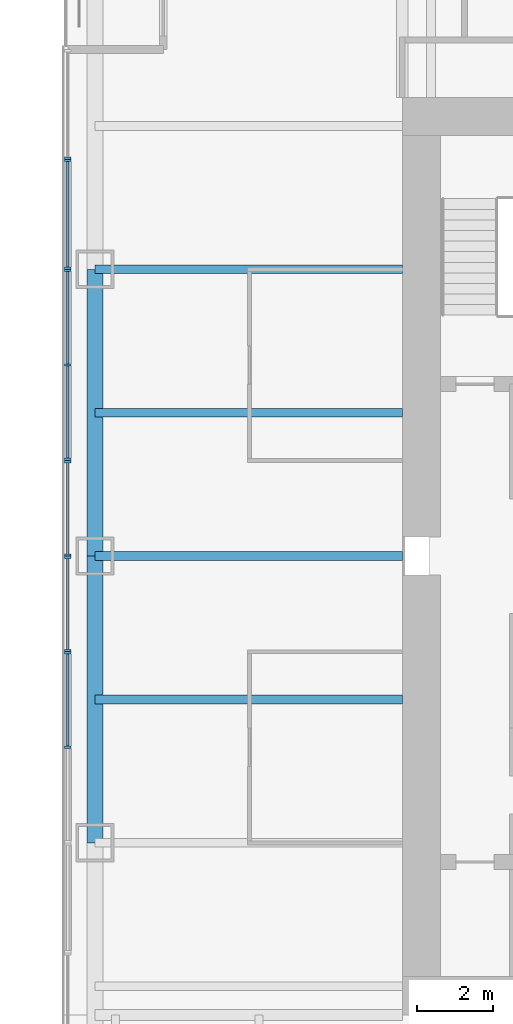
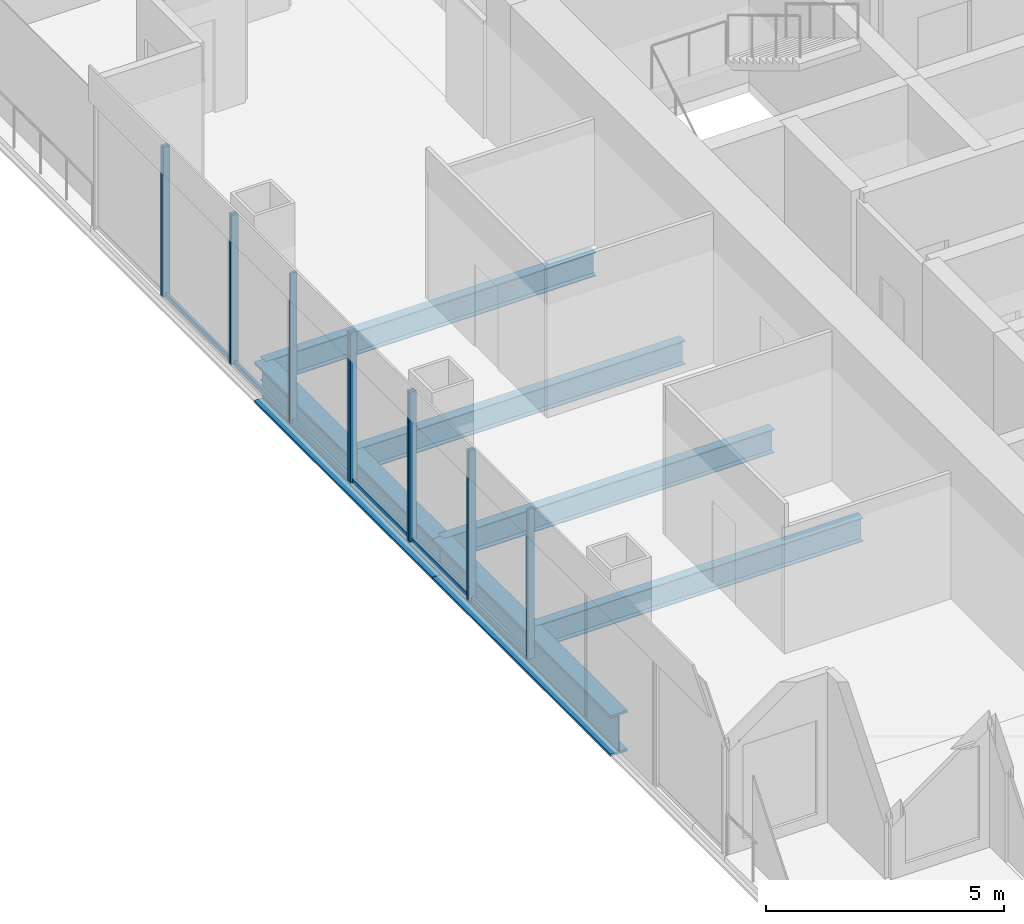
# One storey, part 4 of 14: 18 members, 6 beams, 6 elements without a shape of their own.
"""IFC4 building model written with IfcOpenShell, lengths in metres."""

import ifcopenshell
import ifcopenshell.guid

model = None  # the IFC model being written
_history = None  # IfcOwnerHistory: only IFC2X3 demands one
_inside = {}  # id of a spatial element -> (the spatial element, [elements in it])
_under = {}  # id of a project, library or spatial element -> (it, [spatial elements below it])
_declared = {}  # id of a project -> (the project, [libraries it declares])
_typed = {}  # id of a type object -> (the type object, [elements of that type])
_made_of = {}  # id of a material, layer set ... -> (it, [elements and type objects made of it])


def new_model(schema):
    """Start an empty IFC model of exactly this schema.

    Asked for "IFC4X3", IfcOpenShell would pick the latest addendum, in which some entities
    have other attributes; the version numbers below select the first issue.
    IFC2X3 requires an IfcOwnerHistory on every rooted entity: one is made here for all.
    """
    global model, _history
    if schema == "IFC4X3":
        model = ifcopenshell.file(schema_version=(4, 3, 0, 0))
    else:
        model = ifcopenshell.file(schema=schema)
    _inside.clear()
    _under.clear()
    _declared.clear()
    _typed.clear()
    _made_of.clear()
    _history = None
    if model.schema == "IFC2X3":
        org = make("IfcOrganization", Name="unknown")
        user = make(
            "IfcPersonAndOrganization",
            ThePerson=make("IfcPerson", FamilyName="unknown"),
            TheOrganization=org,
        )
        app = make(
            "IfcApplication",
            ApplicationDeveloper=org,
            Version="unknown",
            ApplicationFullName="unknown",
            ApplicationIdentifier="unknown",
        )
        _history = make(
            "IfcOwnerHistory",
            OwningUser=user,
            OwningApplication=app,
            ChangeAction="ADDED",
            CreationDate=0,
        )
    return model


def make(cls, **values):
    """One entity of the class cls with the attributes given. An attribute that is None is left unset."""
    return model.create_entity(
        cls, **{name: value for name, value in values.items() if value is not None}
    )


def rooted(cls, **values):
    """An entity with a GlobalId (a new one), such as an element, a storey or a relation."""
    return make(cls, GlobalId=ifcopenshell.guid.new(), OwnerHistory=_history, **values)


def si_unit(unit_type, name, prefix=None):
    """IfcSIUnit, for example si_unit("LENGTHUNIT", "METRE", prefix="MILLI")."""
    return make("IfcSIUnit", UnitType=unit_type, Prefix=prefix, Name=name)


def assignment(units):
    """IfcUnitAssignment: the units of a project."""
    return None if units is None else make("IfcUnitAssignment", Units=units)


def point(xyz):
    """IfcCartesianPoint."""
    return None if xyz is None else make("IfcCartesianPoint", Coordinates=xyz)


def direction(xyz):
    """IfcDirection."""
    return None if xyz is None else make("IfcDirection", DirectionRatios=xyz)


def frame(location, z_axis=None, x_axis=None):
    """IfcAxis2Placement3D, a coordinate frame: its origin and axes. An axis left out is left unset."""
    return make(
        "IfcAxis2Placement3D",
        Location=point(location),
        Axis=direction(z_axis),
        RefDirection=direction(x_axis),
    )


def frame_2d(location, x_axis=None):
    """IfcAxis2Placement2D, a coordinate frame in the plane: its origin and x axis."""
    return make(
        "IfcAxis2Placement2D", Location=point(location), RefDirection=direction(x_axis)
    )


def origin():
    """The frame at (0, 0, 0) with its axes left unset."""
    return frame((0.0, 0.0, 0.0))


def origin_2d():
    """The frame at (0, 0) in the plane with its x axis left unset."""
    return frame_2d((0.0, 0.0))


def place(relative_to, where):
    """IfcLocalPlacement: puts the frame where relative to a parent placement (None: the world)."""
    return make(
        "IfcLocalPlacement", PlacementRelTo=relative_to, RelativePlacement=where
    )


def context(
    kind, dimensions, precision=None, world=None, true_north=None, identifier=None
):
    """IfcGeometricRepresentationContext, for example the 3D "Model" context."""
    return make(
        "IfcGeometricRepresentationContext",
        ContextIdentifier=identifier,
        ContextType=kind,
        CoordinateSpaceDimension=dimensions,
        Precision=precision,
        WorldCoordinateSystem=world,
        TrueNorth=true_north,
    )


def subcontext(parent, identifier, kind, view, scale=None):
    """IfcGeometricRepresentationSubContext, for example "Body" below "Model"."""
    return make(
        "IfcGeometricRepresentationSubContext",
        ContextIdentifier=identifier,
        ContextType=kind,
        ParentContext=parent,
        TargetScale=scale,
        TargetView=view,
    )


def project(units=None, contexts=None):
    """IfcProject with its units and contexts."""
    return rooted(
        "IfcProject",
        Name="project",
        RepresentationContexts=contexts,
        UnitsInContext=assignment(units),
    )


def spatial(cls, under=None, at=None, **own):
    """A site, building, storey or space (cls), placed at a placement, below another one or the project."""
    s = rooted(cls, ObjectPlacement=at, **own)
    if under is not None:
        _under.setdefault(under.id(), (under, []))[1].append(s)
    return s


def profile(cls, at=None, kind="AREA", **sizes):
    """A parametric profile (cls). Its sizes go by their IFC names, for example OverallWidth=200.0."""
    return make(cls, ProfileType=kind, Position=at, **sizes)


def rectangle(**sizes):
    """IfcRectangleProfileDef."""
    return profile("IfcRectangleProfileDef", **sizes)


def i_section(**sizes):
    """IfcIShapeProfileDef."""
    return profile("IfcIShapeProfileDef", **sizes)


def extrude(swept, where, along, depth):
    """IfcExtrudedAreaSolid: the profile swept, set in the frame where, extruded along a direction by depth."""
    return make(
        "IfcExtrudedAreaSolid",
        SweptArea=swept,
        Position=where,
        ExtrudedDirection=direction(along),
        Depth=depth,
    )


def shape(context_of_items, identifier, shape_type, items):
    """IfcShapeRepresentation: the items that make up one representation, for example the "Body"."""
    return make(
        "IfcShapeRepresentation",
        ContextOfItems=context_of_items,
        RepresentationIdentifier=identifier,
        RepresentationType=shape_type,
        Items=items,
    )


def material(Name=None, Category=None):
    """IfcMaterial."""
    return make("IfcMaterial", Name=Name, Category=Category)


def material_profile(
    of_material, cross_section, Name=None, Category=None, Priority=None
):
    """IfcMaterialProfile: a cross section and its material."""
    return make(
        "IfcMaterialProfile",
        Name=Name,
        Material=of_material,
        Profile=cross_section,
        Priority=Priority,
        Category=Category,
    )


def profile_set(profiles, Name=None, composite=None):
    """IfcMaterialProfileSet."""
    return make(
        "IfcMaterialProfileSet",
        Name=Name,
        MaterialProfiles=profiles,
        CompositeProfile=composite,
    )


def made_of(thing, what):
    """Note that an element or type object is made of a material, layer set ...; save() writes the relation."""
    if what is not None:
        _made_of.setdefault(what.id(), (what, []))[1].append(thing)
    return thing


def type_object(cls, material=None, **own):
    """A type object (cls), such as IfcWallType, which elements share."""
    return made_of(rooted(cls, **own), material)


def element(
    cls,
    number,
    at=None,
    inside=None,
    cuts=None,
    type_object=None,
    material=None,
    context=None,
    identifier="Body",
    shape_type=None,
    held_by="IfcProductDefinitionShape",
    body=None,
    shapes=None,
    **own,
):
    """One element of the class cls, such as IfcWall. Its Tag is "e" and its number.

    at: its placement. inside: the storey or other place that contains it. cuts: it is an
    opening in that element (IfcRelVoidsElement). A single representation is given by context,
    identifier, shape_type and body (its items); several are given by shapes. held_by: the class
    of the entity that holds the representations. save() writes the other relations.
    """
    e = rooted(cls, Tag="e%d" % number, ObjectPlacement=at, **own)
    if body is not None:
        shapes = [shape(context, identifier, shape_type, body)]
    if shapes is not None:
        e.Representation = make(held_by, Representations=shapes)
    if inside is not None:
        _inside.setdefault(inside.id(), (inside, []))[1].append(e)
    if cuts is not None:
        rooted(
            "IfcRelVoidsElement", RelatingBuildingElement=cuts, RelatedOpeningElement=e
        )
    if type_object is not None:
        _typed.setdefault(type_object.id(), (type_object, []))[1].append(e)
    return made_of(e, material)


def aggregate(whole, parts):
    """IfcRelAggregates: a whole, such as a stair, and the parts it consists of."""
    return rooted("IfcRelAggregates", RelatingObject=whole, RelatedObjects=parts)


def save(model, path):
    """Write the relations noted so far, then the file.

    IfcRelAggregates (storeys below a building ...), IfcRelContainedInSpatialStructure (elements
    in a storey), IfcRelDefinesByType, IfcRelAssociatesMaterial and IfcRelDeclares: one each for
    every whole, place, type object, material and project.
    """
    for whole, parts in _under.values():
        aggregate(whole, parts)
    for where, things in _inside.values():
        rooted(
            "IfcRelContainedInSpatialStructure",
            RelatedElements=things,
            RelatingStructure=where,
        )
    for kind, things in _typed.values():
        rooted("IfcRelDefinesByType", RelatedObjects=things, RelatingType=kind)
    for what, things in _made_of.values():
        rooted("IfcRelAssociatesMaterial", RelatedObjects=things, RelatingMaterial=what)
    for by, libraries in _declared.values():
        rooted("IfcRelDeclares", RelatingContext=by, RelatedDefinitions=libraries)
    model.write(path)


model = new_model("IFC4")

# Units and contexts
model_context = context("Model", 3, precision=1e-05, world=origin(), true_north=direction((0.0, 1.0)))
body_context = subcontext(model_context, "Body", "Model", "MODEL_VIEW")
ifc_project = project(units=[si_unit("LENGTHUNIT", "METRE"), si_unit("AREAUNIT", "SQUARE_METRE"), si_unit("VOLUMEUNIT", "CUBIC_METRE"), si_unit("PLANEANGLEUNIT", "RADIAN"), si_unit("MASSUNIT", "GRAM", prefix="KILO")], contexts=[model_context])

# Site, building, storey
site_placement = place(None, origin())
site = spatial("IfcSite", under=ifc_project, at=site_placement, CompositionType="ELEMENT")
building_placement = place(site_placement, origin())
building = spatial("IfcBuilding", under=site, at=building_placement, Name="Tarangal Relay Tower", CompositionType="ELEMENT")
storey_placement = place(building_placement, frame((0.0, 0.0, 319.89990234375)))
storey = spatial("IfcBuildingStorey", under=building, at=storey_placement, Name="L71", CompositionType="ELEMENT", Elevation=319.89990234375)

# Beams
ifc_material_1 = material(Name="Steel ASTM A992", Category="steel")
ifc_material_profile_1 = material_profile(ifc_material_1, i_section(OverallWidth=0.41162109375, OverallDepth=1.049072265625, WebThickness=0.033935546875, FlangeThickness=0.059814453125, at=origin_2d()), Name="W40X431")
ifc_profile_set_1 = profile_set([ifc_material_profile_1], Name="Steel ASTM A992")
beam_type_1 = type_object("IfcBeamType", Name="Edge girder W40X431", PredefinedType="SPANDREL", material=ifc_profile_set_1)
for number, where, z_axis, x_axis, name in (
    (1, (-20.0400390625, -7.5, -0.67431640625), (0.0, 1.0, 0.0), (-1.0, 0.0, 0.0), "Edge girder EG1 W L71"),
    (2, (-20.0400390625, 0.0, -0.67431640625), (0.0, 1.0, 0.0), (-1.0, 0.0, 0.0), "Edge girder EG1 W L71"),
):
    element("IfcBeam", number, at=place(storey_placement, frame(where, z_axis=z_axis, x_axis=x_axis)), inside=storey, type_object=beam_type_1, Name=name, PredefinedType="SPANDREL", context=body_context, shape_type="SweptSolid", body=[
        extrude(i_section(OverallWidth=0.41162109375, OverallDepth=1.049072265625, WebThickness=0.033935546875, FlangeThickness=0.059814453125, at=origin_2d()), origin(), (0.0, 0.0, 1.0), 7.5),
    ])
ifc_material_profile_2 = material_profile(ifc_material_1, i_section(OverallWidth=0.228271484375, OverallDepth=0.607177734375, WebThickness=0.01123046875, FlangeThickness=0.017333984375, at=origin_2d()), Name="W24X76")
ifc_profile_set_2 = profile_set([ifc_material_profile_2], Name="Steel ASTM A992")
beam_type_2 = type_object("IfcBeamType", Name="Floor beam W24X76", PredefinedType="BEAM", material=ifc_profile_set_2)
for number, where, z_axis, x_axis, name in (
    (3, (-12.0, -3.75, -0.453369140625), (-1.0, 0.0, 0.0), (0.0, -1.0, 0.0), "Floor beam RB5 W L71"),
    (4, (-12.0, 0.0, -0.453369140625), (-1.0, 0.0, 0.0), (0.0, -1.0, 0.0), "Floor beam RB5 W L71"),
    (5, (-12.0, 3.75, -0.453369140625), (-1.0, 0.0, 0.0), (0.0, -1.0, 0.0), "Floor beam RB5 W L71"),
    (6, (-12.0, 7.5, -0.453369140625), (-1.0, 0.0, 0.0), (0.0, -1.0, 0.0), "Floor beam RB5 W L71"),
):
    element("IfcBeam", number, at=place(storey_placement, frame(where, z_axis=z_axis, x_axis=x_axis)), inside=storey, type_object=beam_type_2, Name=name, PredefinedType="BEAM", context=body_context, shape_type="SweptSolid", body=[
        extrude(i_section(OverallWidth=0.228271484375, OverallDepth=0.607177734375, WebThickness=0.01123046875, FlangeThickness=0.017333984375, at=origin_2d()), origin(), (0.0, 0.0, 1.0), 8.0400390625),
    ])

# Curtain wall, members
ifc_material_2 = material(Name="Unitised curtain wall, dark glass and black aluminium", Category="aluminium")
curtain_wall_type_1 = type_object("IfcCurtainWallType", Name="Curtain wall CW-B", PredefinedType="USERDEFINED", material=ifc_material_2)
curtain_wall_1_placement = place(storey_placement, origin())
curtain_wall_1 = element("IfcCurtainWall", 7, at=curtain_wall_1_placement, inside=storey, type_object=curtain_wall_type_1, Name="Curtain wall CW-B W facade L71", ObjectType="UNITISED CURTAIN WALL", PredefinedType="USERDEFINED")
ifc_material_3 = material(Name="Black anodised aluminium mullion", Category="aluminium")
ifc_material_profile_3 = material_profile(ifc_material_3, rectangle(XDim=0.159912109375, YDim=0.06005859375, at=origin_2d()), Name="CW-BM 60X160")
ifc_profile_set_3 = profile_set([ifc_material_profile_3], Name="Black anodised aluminium mullion")
member_type_1 = type_object("IfcMemberType", Name="Mullion CW-B 60 x 160", PredefinedType="MULLION", material=ifc_profile_set_3)
member_1_placement = place(storey_placement, frame((-20.75, -2.469970703125, 0.0), z_axis=(0.0, 0.0, 1.0), x_axis=(-1.0, 0.0, 0.0)))
member_1 = element("IfcMember", 8, at=member_1_placement, type_object=member_type_1, Name="CW-B mullion 1", PredefinedType="MULLION", context=body_context, shape_type="SweptSolid", body=[
    extrude(rectangle(XDim=0.159912109375, YDim=0.06005859375, at=origin_2d()), origin(), (0.0, 0.0, 1.0), 3.85009765625),
])
member_2_placement = place(storey_placement, frame((-20.75, -0.030029296875, 0.0), z_axis=(0.0, 0.0, 1.0), x_axis=(-1.0, 0.0, 0.0)))
member_2 = element("IfcMember", 9, at=member_2_placement, type_object=member_type_1, Name="CW-B mullion 2", PredefinedType="MULLION", context=body_context, shape_type="SweptSolid", body=[
    extrude(rectangle(XDim=0.159912109375, YDim=0.06005859375, at=origin_2d()), origin(), (0.0, 0.0, 1.0), 3.85009765625),
])

curtain_wall_2_placement = place(storey_placement, origin())
curtain_wall_2 = element("IfcCurtainWall", 10, at=curtain_wall_2_placement, inside=storey, type_object=curtain_wall_type_1, Name="Curtain wall CW-B W facade L71", ObjectType="UNITISED CURTAIN WALL", PredefinedType="USERDEFINED")
member_3_placement = place(storey_placement, frame((-20.75, 0.030029296875, 0.0), z_axis=(0.0, 0.0, 1.0), x_axis=(-1.0, 0.0, 0.0)))
member_3 = element("IfcMember", 11, at=member_3_placement, type_object=member_type_1, Name="CW-B mullion 1", PredefinedType="MULLION", context=body_context, shape_type="SweptSolid", body=[
    extrude(rectangle(XDim=0.159912109375, YDim=0.06005859375, at=origin_2d()), origin(), (0.0, 0.0, 1.0), 3.85009765625),
])
member_4_placement = place(storey_placement, frame((-20.75, 2.469970703125, 0.0), z_axis=(0.0, 0.0, 1.0), x_axis=(-1.0, 0.0, 0.0)))
member_4 = element("IfcMember", 12, at=member_4_placement, type_object=member_type_1, Name="CW-B mullion 2", PredefinedType="MULLION", context=body_context, shape_type="SweptSolid", body=[
    extrude(rectangle(XDim=0.159912109375, YDim=0.06005859375, at=origin_2d()), origin(), (0.0, 0.0, 1.0), 3.85009765625),
])

# Curtain wall, member
curtain_wall_3_placement = place(storey_placement, origin())
curtain_wall_3 = element("IfcCurtainWall", 13, at=curtain_wall_3_placement, inside=storey, type_object=curtain_wall_type_1, Name="Curtain wall CW-B W facade L71", ObjectType="UNITISED CURTAIN WALL", PredefinedType="USERDEFINED")
member_5_placement = place(storey_placement, frame((-20.75, 10.405029296875, 0.0), z_axis=(0.0, 0.0, 1.0), x_axis=(-1.0, 0.0, 0.0)))
member_5 = element("IfcMember", 14, at=member_5_placement, type_object=member_type_1, Name="CW-B mullion 1", PredefinedType="MULLION", context=body_context, shape_type="SweptSolid", body=[
    extrude(rectangle(XDim=0.159912109375, YDim=0.06005859375, at=origin_2d()), origin(), (0.0, 0.0, 1.0), 3.85009765625),
])
aggregate(curtain_wall_3, [member_5])

# Curtain wall, members
ifc_material_4 = material(Name="Unitised curtain wall frame, black aluminium, with metal clad infill walls", Category="aluminium")
curtain_wall_type_2 = type_object("IfcCurtainWallType", Name="Curtain wall CW-BO", PredefinedType="USERDEFINED", material=ifc_material_4)
curtain_wall_4_placement = place(storey_placement, origin())
curtain_wall_4 = element("IfcCurtainWall", 15, at=curtain_wall_4_placement, inside=storey, type_object=curtain_wall_type_2, Name="Curtain wall CW-BO W facade L71", ObjectType="UNITISED CURTAIN WALL", PredefinedType="USERDEFINED")
ifc_material_profile_4 = material_profile(ifc_material_3, rectangle(XDim=0.159912109375, YDim=0.06005859375, at=origin_2d()), Name="CW-BOM 60X160")
ifc_profile_set_4 = profile_set([ifc_material_profile_4], Name="Black anodised aluminium mullion")
member_type_2 = type_object("IfcMemberType", Name="Mullion CW-BO 60 x 160", PredefinedType="MULLION", material=ifc_profile_set_4)
member_6_placement = place(storey_placement, frame((-20.75, -5.0, 0.0), z_axis=(0.0, 0.0, 1.0), x_axis=(-1.0, 0.0, 0.0)))
member_6 = element("IfcMember", 16, at=member_6_placement, type_object=member_type_2, Name="CW-BO mullion 2", PredefinedType="MULLION", context=body_context, shape_type="SweptSolid", body=[
    extrude(rectangle(XDim=0.159912109375, YDim=0.06005859375, at=origin_2d()), origin(), (0.0, 0.0, 1.0), 3.85009765625),
])
member_7_placement = place(storey_placement, frame((-20.75, -2.530029296875, 0.0), z_axis=(0.0, 0.0, 1.0), x_axis=(-1.0, 0.0, 0.0)))
member_7 = element("IfcMember", 17, at=member_7_placement, type_object=member_type_2, Name="CW-BO mullion 3", PredefinedType="MULLION", context=body_context, shape_type="SweptSolid", body=[
    extrude(rectangle(XDim=0.159912109375, YDim=0.06005859375, at=origin_2d()), origin(), (0.0, 0.0, 1.0), 3.85009765625),
])

curtain_wall_5_placement = place(storey_placement, origin())
curtain_wall_5 = element("IfcCurtainWall", 18, at=curtain_wall_5_placement, inside=storey, type_object=curtain_wall_type_2, Name="Curtain wall CW-BO W facade L71", ObjectType="UNITISED CURTAIN WALL", PredefinedType="USERDEFINED")
member_8_placement = place(storey_placement, frame((-20.75, 2.530029296875, 0.0), z_axis=(0.0, 0.0, 1.0), x_axis=(-1.0, 0.0, 0.0)))
member_8 = element("IfcMember", 19, at=member_8_placement, type_object=member_type_2, Name="CW-BO mullion 1", PredefinedType="MULLION", context=body_context, shape_type="SweptSolid", body=[
    extrude(rectangle(XDim=0.159912109375, YDim=0.06005859375, at=origin_2d()), origin(), (0.0, 0.0, 1.0), 3.85009765625),
])
member_9_placement = place(storey_placement, frame((-20.75, 5.0, 0.0), z_axis=(0.0, 0.0, 1.0), x_axis=(-1.0, 0.0, 0.0)))
member_9 = element("IfcMember", 20, at=member_9_placement, type_object=member_type_2, Name="CW-BO mullion 2", PredefinedType="MULLION", context=body_context, shape_type="SweptSolid", body=[
    extrude(rectangle(XDim=0.159912109375, YDim=0.06005859375, at=origin_2d()), origin(), (0.0, 0.0, 1.0), 3.85009765625),
])
member_10_placement = place(storey_placement, frame((-20.75, 7.469970703125, 0.0), z_axis=(0.0, 0.0, 1.0), x_axis=(-1.0, 0.0, 0.0)))
member_10 = element("IfcMember", 21, at=member_10_placement, type_object=member_type_2, Name="CW-BO mullion 3", PredefinedType="MULLION", context=body_context, shape_type="SweptSolid", body=[
    extrude(rectangle(XDim=0.159912109375, YDim=0.06005859375, at=origin_2d()), origin(), (0.0, 0.0, 1.0), 3.85009765625),
])

curtain_wall_6_placement = place(storey_placement, origin())
curtain_wall_6 = element("IfcCurtainWall", 22, at=curtain_wall_6_placement, inside=storey, type_object=curtain_wall_type_2, Name="Curtain wall CW-BO W facade L71", ObjectType="UNITISED CURTAIN WALL", PredefinedType="USERDEFINED")
member_11_placement = place(storey_placement, frame((-20.75, 7.530029296875, 0.0), z_axis=(0.0, 0.0, 1.0), x_axis=(-1.0, 0.0, 0.0)))
member_11 = element("IfcMember", 23, at=member_11_placement, type_object=member_type_2, Name="CW-BO mullion 1", PredefinedType="MULLION", context=body_context, shape_type="SweptSolid", body=[
    extrude(rectangle(XDim=0.159912109375, YDim=0.06005859375, at=origin_2d()), origin(), (0.0, 0.0, 1.0), 3.85009765625),
])
member_12_placement = place(storey_placement, frame((-20.75, 10.344970703125, 0.0), z_axis=(0.0, 0.0, 1.0), x_axis=(-1.0, 0.0, 0.0)))
member_12 = element("IfcMember", 24, at=member_12_placement, type_object=member_type_2, Name="CW-BO mullion 2", PredefinedType="MULLION", context=body_context, shape_type="SweptSolid", body=[
    extrude(rectangle(XDim=0.159912109375, YDim=0.06005859375, at=origin_2d()), origin(), (0.0, 0.0, 1.0), 3.85009765625),
])

# Member
ifc_material_5 = material(Name="Black anodised aluminium transom", Category="aluminium")
ifc_material_profile_5 = material_profile(ifc_material_5, rectangle(XDim=0.06005859375, YDim=0.1298828125, at=origin_2d()), Name="CW-BT 60X130")
ifc_profile_set_5 = profile_set([ifc_material_profile_5], Name="Black anodised aluminium transom")
member_type_3 = type_object("IfcMemberType", Name="Transom CW-B 60 x 130", PredefinedType="USERDEFINED", material=ifc_profile_set_5)
member_13_placement = place(storey_placement, frame((-20.75, -2.43994140625, 0.030029296875), z_axis=(0.0, 1.0, 0.0), x_axis=(-1.0, 0.0, 0.0)))
member_13 = element("IfcMember", 25, at=member_13_placement, type_object=member_type_3, Name="CW-B transom 1.1", ObjectType="TRANSOM", PredefinedType="USERDEFINED", context=body_context, shape_type="SweptSolid", body=[
    extrude(rectangle(XDim=0.06005859375, YDim=0.1298828125, at=origin_2d()), origin(), (0.0, 0.0, 1.0), 2.3798828125),
])

aggregate(curtain_wall_1, [member_1, member_2, member_13])

member_14_placement = place(storey_placement, frame((-20.75, 0.06005859375, 0.030029296875), z_axis=(0.0, 1.0, 0.0), x_axis=(-1.0, 0.0, 0.0)))
member_14 = element("IfcMember", 26, at=member_14_placement, type_object=member_type_3, Name="CW-B transom 1.1", ObjectType="TRANSOM", PredefinedType="USERDEFINED", context=body_context, shape_type="SweptSolid", body=[
    extrude(rectangle(XDim=0.06005859375, YDim=0.1298828125, at=origin_2d()), origin(), (0.0, 0.0, 1.0), 2.3798828125),
])

aggregate(curtain_wall_2, [member_3, member_4, member_14])

ifc_material_profile_6 = material_profile(ifc_material_5, rectangle(XDim=0.06005859375, YDim=0.1298828125, at=origin_2d()), Name="CW-BOT 60X130")
ifc_profile_set_6 = profile_set([ifc_material_profile_6], Name="Black anodised aluminium transom")
member_type_4 = type_object("IfcMemberType", Name="Transom CW-BO 60 x 130", PredefinedType="USERDEFINED", material=ifc_profile_set_6)
member_15_placement = place(storey_placement, frame((-20.75, -4.969970703125, 0.030029296875), z_axis=(0.0, 1.0, 0.0), x_axis=(-1.0, 0.0, 0.0)))
member_15 = element("IfcMember", 27, at=member_15_placement, type_object=member_type_4, Name="CW-BO transom 2.1", ObjectType="TRANSOM", PredefinedType="USERDEFINED", context=body_context, shape_type="SweptSolid", body=[
    extrude(rectangle(XDim=0.06005859375, YDim=0.1298828125, at=origin_2d()), origin(), (0.0, 0.0, 1.0), 2.409912109375),
])

aggregate(curtain_wall_4, [member_6, member_7, member_15])

member_16_placement = place(storey_placement, frame((-20.75, 2.56005859375, 0.030029296875), z_axis=(0.0, 1.0, 0.0), x_axis=(-1.0, 0.0, 0.0)))
member_16 = element("IfcMember", 28, at=member_16_placement, type_object=member_type_4, Name="CW-BO transom 1.1", ObjectType="TRANSOM", PredefinedType="USERDEFINED", context=body_context, shape_type="SweptSolid", body=[
    extrude(rectangle(XDim=0.06005859375, YDim=0.1298828125, at=origin_2d()), origin(), (0.0, 0.0, 1.0), 2.409912109375),
])

member_17_placement = place(storey_placement, frame((-20.75, 5.030029296875, 0.030029296875), z_axis=(0.0, 1.0, 0.0), x_axis=(-1.0, 0.0, 0.0)))
member_17 = element("IfcMember", 29, at=member_17_placement, type_object=member_type_4, Name="CW-BO transom 2.1", ObjectType="TRANSOM", PredefinedType="USERDEFINED", context=body_context, shape_type="SweptSolid", body=[
    extrude(rectangle(XDim=0.06005859375, YDim=0.1298828125, at=origin_2d()), origin(), (0.0, 0.0, 1.0), 2.409912109375),
])

aggregate(curtain_wall_5, [member_8, member_9, member_10, member_16, member_17])

member_18_placement = place(storey_placement, frame((-20.75, 7.56005859375, 0.030029296875), z_axis=(0.0, 1.0, 0.0), x_axis=(-1.0, 0.0, 0.0)))
member_18 = element("IfcMember", 30, at=member_18_placement, type_object=member_type_4, Name="CW-BO transom 1.1", ObjectType="TRANSOM", PredefinedType="USERDEFINED", context=body_context, shape_type="SweptSolid", body=[
    extrude(rectangle(XDim=0.06005859375, YDim=0.1298828125, at=origin_2d()), origin(), (0.0, 0.0, 1.0), 2.7548828125),
])

aggregate(curtain_wall_6, [member_11, member_12, member_18])

save(model, "model.ifc")
